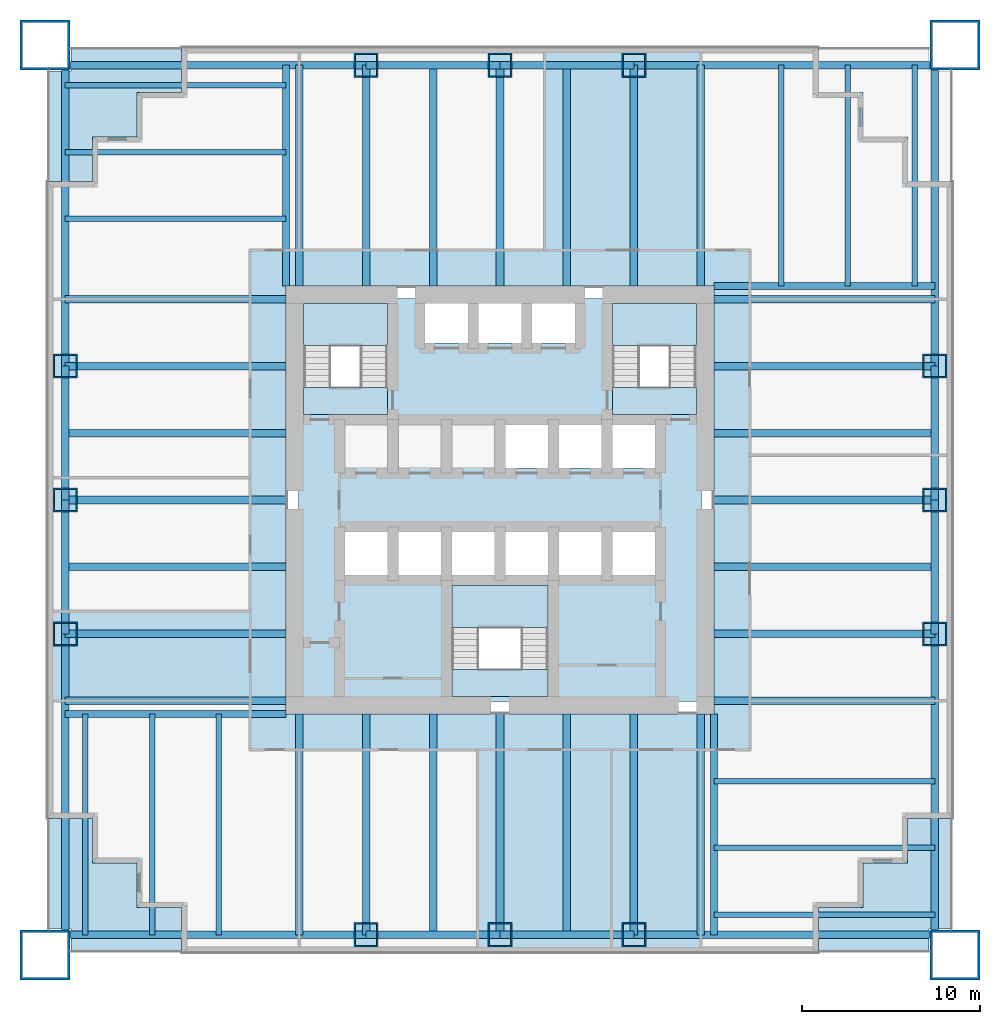
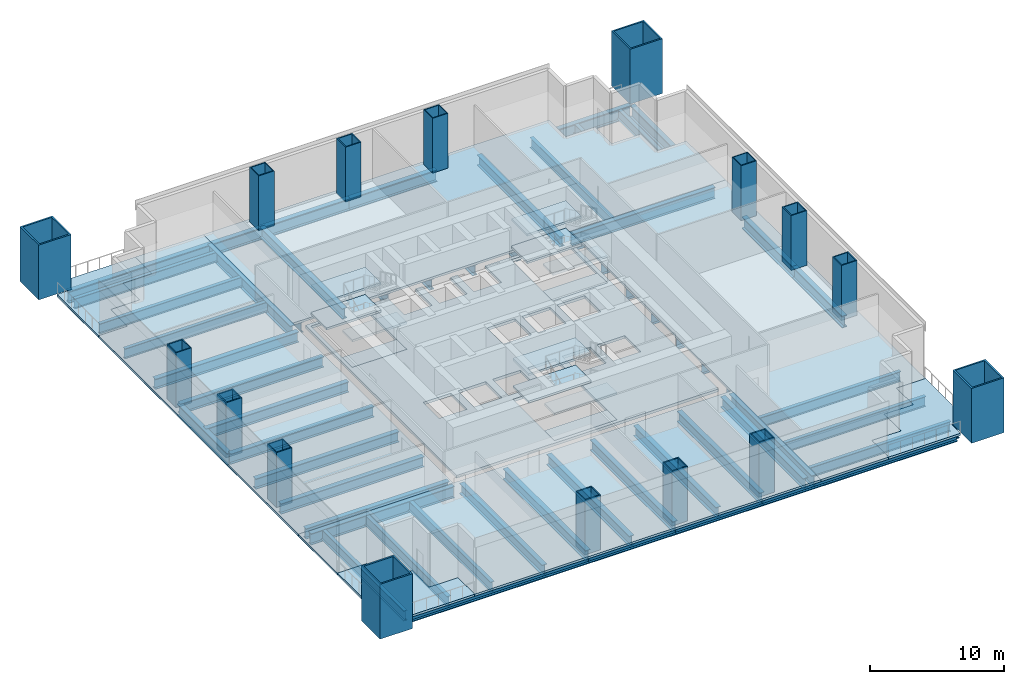
# One storey, part 1 of 6: 60 beams, 20 slabs, 16 columns, 3 elements without a shape of their own.
"""IFC4 building model written with IfcOpenShell, lengths in metres."""

from ifc_helpers import new_model, si_unit, direction, frame, origin, origin_2d, place, context, subcontext, project, spatial, polyline, hollow_rectangle, i_section, outline, extrude, material, layer, layer_set, material_profile, profile_set, type_object, element, aggregate, save


model = new_model("IFC4")

# Units and contexts
model_context = context("Model", 3, precision=1e-05, world=origin(), true_north=direction((0.0, 1.0)))
body_context = subcontext(model_context, "Body", "Model", "MODEL_VIEW")
ifc_project = project(units=[si_unit("LENGTHUNIT", "METRE"), si_unit("AREAUNIT", "SQUARE_METRE"), si_unit("VOLUMEUNIT", "CUBIC_METRE"), si_unit("PLANEANGLEUNIT", "RADIAN"), si_unit("MASSUNIT", "GRAM", prefix="KILO")], contexts=[model_context])

# Site, building, storey
site_placement = place(None, origin())
site = spatial("IfcSite", under=ifc_project, at=site_placement, CompositionType="ELEMENT")
building_placement = place(site_placement, origin())
building = spatial("IfcBuilding", under=site, at=building_placement, Name="Tarangal Relay Tower", CompositionType="ELEMENT")
storey_placement = place(building_placement, frame((0.0, 0.0, 33.39990234375)))
storey = spatial("IfcBuildingStorey", under=building, at=storey_placement, Name="L06", CompositionType="ELEMENT", Elevation=33.39990234375)

# Columns
ifc_material_1 = material(Name="Steel ASTM A572 Grade 42", Category="steel")
ifc_material_profile_1 = material_profile(ifc_material_1, hollow_rectangle(XDim=2.800048828125, YDim=2.800048828125, WallThickness=0.139892578125, at=origin_2d()), Name="BOX2800X2800X140")
ifc_profile_set_1 = profile_set([ifc_material_profile_1], Name="Steel ASTM A572 Grade 42")
column_type_1 = type_object("IfcColumnType", Name="Mega column BOX2800X2800X140", PredefinedType="COLUMN", material=ifc_profile_set_1)
for number, where, z_axis, x_axis, name in (
    (1, (25.5, 25.5, 0.0), (0.0, 0.0, 1.0), (1.0, 0.0, 0.0), "Mega column MC1 NE L06"),
    (2, (25.5, -25.5, 0.0), (0.0, 0.0, 1.0), (1.0, 0.0, 0.0), "Mega column MC1 SE L06"),
    (3, (-25.5, -25.5, 0.0), (0.0, 0.0, 1.0), (1.0, 0.0, 0.0), "Mega column MC1 SW L06"),
    (4, (-25.5, 25.5, 0.0), (0.0, 0.0, 1.0), (1.0, 0.0, 0.0), "Mega column MC1 NW L06"),
):
    element("IfcColumn", number, at=place(storey_placement, frame(where, z_axis=z_axis, x_axis=x_axis)), inside=storey, type_object=column_type_1, Name=name, PredefinedType="COLUMN", context=body_context, shape_type="SweptSolid", body=[
        extrude(hollow_rectangle(XDim=2.800048828125, YDim=2.800048828125, WallThickness=0.139892578125, at=origin_2d()), origin(), (0.0, 0.0, 1.0), 5.0),
    ])
ifc_material_2 = material(Name="Steel ASTM A572 Grade 50", Category="steel")
ifc_material_profile_2 = material_profile(ifc_material_2, hollow_rectangle(XDim=1.35009765625, YDim=1.35009765625, WallThickness=0.0849609375, at=origin_2d()), Name="BOX1350X1350X85")
ifc_profile_set_2 = profile_set([ifc_material_profile_2], Name="Steel ASTM A572 Grade 50")
column_type_2 = type_object("IfcColumnType", Name="Perimeter column BOX1350X1350X85", PredefinedType="COLUMN", material=ifc_profile_set_2)
for number, where, z_axis, x_axis, name in (
    (5, (-7.5, 24.364990234375, 0.0), (0.0, 0.0, 1.0), (1.0, 0.0, 0.0), "Perimeter column PC2 N L06"),
    (6, (0.0, 24.364990234375, 0.0), (0.0, 0.0, 1.0), (1.0, 0.0, 0.0), "Perimeter column PC2 N L06"),
    (7, (7.5, 24.364990234375, 0.0), (0.0, 0.0, 1.0), (1.0, 0.0, 0.0), "Perimeter column PC2 N L06"),
    (8, (24.364990234375, 7.5, 0.0), (0.0, 0.0, 1.0), (1.0, 0.0, 0.0), "Perimeter column PC2 E L06"),
    (9, (24.364990234375, 0.0, 0.0), (0.0, 0.0, 1.0), (1.0, 0.0, 0.0), "Perimeter column PC2 E L06"),
    (10, (24.364990234375, -7.5, 0.0), (0.0, 0.0, 1.0), (1.0, 0.0, 0.0), "Perimeter column PC2 E L06"),
    (11, (7.5, -24.364990234375, 0.0), (0.0, 0.0, 1.0), (1.0, 0.0, 0.0), "Perimeter column PC2 S L06"),
    (12, (0.0, -24.364990234375, 0.0), (0.0, 0.0, 1.0), (1.0, 0.0, 0.0), "Perimeter column PC2 S L06"),
    (13, (-7.5, -24.364990234375, 0.0), (0.0, 0.0, 1.0), (1.0, 0.0, 0.0), "Perimeter column PC2 S L06"),
    (14, (-24.364990234375, -7.5, 0.0), (0.0, 0.0, 1.0), (1.0, 0.0, 0.0), "Perimeter column PC2 W L06"),
    (15, (-24.364990234375, 0.0, 0.0), (0.0, 0.0, 1.0), (1.0, 0.0, 0.0), "Perimeter column PC2 W L06"),
    (16, (-24.364990234375, 7.5, 0.0), (0.0, 0.0, 1.0), (1.0, 0.0, 0.0), "Perimeter column PC2 W L06"),
):
    element("IfcColumn", number, at=place(storey_placement, frame(where, z_axis=z_axis, x_axis=x_axis)), inside=storey, type_object=column_type_2, Name=name, PredefinedType="COLUMN", context=body_context, shape_type="SweptSolid", body=[
        extrude(hollow_rectangle(XDim=1.35009765625, YDim=1.35009765625, WallThickness=0.0849609375, at=origin_2d()), origin(), (0.0, 0.0, 1.0), 5.0),
    ])

# Beams
ifc_material_3 = material(Name="Steel ASTM A992", Category="steel")
ifc_material_profile_3 = material_profile(ifc_material_3, i_section(OverallWidth=0.307373046875, OverallDepth=0.927001953125, WebThickness=0.019287109375, FlangeThickness=0.031982421875, at=origin_2d()), Name="W36X194")
ifc_profile_set_3 = profile_set([ifc_material_profile_3], Name="Steel ASTM A992")
beam_type_1 = type_object("IfcBeamType", Name="Corner beam W36X194", PredefinedType="JOIST", material=ifc_profile_set_3)
for number, where, z_axis, x_axis, name in (
    (17, (15.75, 12.0, -0.66357421875), (0.0, 1.0, 0.0), (-1.0, 0.0, 0.0), "Corner beam CB10 N L06"),
    (18, (19.5, 12.0, -0.66357421875), (0.0, 1.0, 0.0), (-1.0, 0.0, 0.0), "Corner beam CB10 N L06"),
    (19, (23.25, 12.0, -0.66357421875), (0.0, 1.0, 0.0), (-1.0, 0.0, 0.0), "Corner beam CB10 N L06"),
    (20, (12.0, -15.75, -0.66357421875), (1.0, 0.0, 0.0), (0.0, 1.0, 0.0), "Corner beam CB10 E L06"),
    (21, (12.0, -19.5, -0.66357421875), (1.0, 0.0, 0.0), (0.0, 1.0, 0.0), "Corner beam CB10 E L06"),
    (22, (12.0, -23.25, -0.66357421875), (1.0, 0.0, 0.0), (0.0, 1.0, 0.0), "Corner beam CB10 E L06"),
    (23, (-15.75, -12.0, -0.66357421875), (0.0, -1.0, 0.0), (1.0, 0.0, 0.0), "Corner beam CB10 S L06"),
    (24, (-19.5, -12.0, -0.66357421875), (0.0, -1.0, 0.0), (1.0, 0.0, 0.0), "Corner beam CB10 S L06"),
    (25, (-23.25, -12.0, -0.66357421875), (0.0, -1.0, 0.0), (1.0, 0.0, 0.0), "Corner beam CB10 S L06"),
    (26, (-12.0, 15.75, -0.66357421875), (-1.0, 0.0, 0.0), (0.0, -1.0, 0.0), "Corner beam CB10 W L06"),
    (27, (-12.0, 19.5, -0.66357421875), (-1.0, 0.0, 0.0), (0.0, -1.0, 0.0), "Corner beam CB10 W L06"),
    (28, (-12.0, 23.25, -0.66357421875), (-1.0, 0.0, 0.0), (0.0, -1.0, 0.0), "Corner beam CB10 W L06"),
):
    element("IfcBeam", number, at=place(storey_placement, frame(where, z_axis=z_axis, x_axis=x_axis)), inside=storey, type_object=beam_type_1, Name=name, PredefinedType="JOIST", context=body_context, shape_type="SweptSolid", body=[
        extrude(i_section(OverallWidth=0.307373046875, OverallDepth=0.927001953125, WebThickness=0.019287109375, FlangeThickness=0.031982421875, at=origin_2d()), origin(), (0.0, 0.0, 1.0), 12.364990234375),
    ])
ifc_material_profile_4 = material_profile(ifc_material_3, i_section(OverallWidth=0.40380859375, OverallDepth=1.036376953125, WebThickness=0.031005859375, FlangeThickness=0.0458984375, at=origin_2d()), Name="W40X331")
ifc_profile_set_4 = profile_set([ifc_material_profile_4], Name="Steel ASTM A992")
beam_type_2 = type_object("IfcBeamType", Name="Corner girder W40X331", PredefinedType="BEAM", material=ifc_profile_set_4)
for number, where, z_axis, x_axis, name in (
    (29, (12.0, 12.0, -0.718017578125), (1.0, 0.0, 0.0), (0.0, 1.0, 0.0), "Corner girder CG2 N L06"),
    (30, (12.0, -12.0, -0.718017578125), (0.0, -1.0, 0.0), (1.0, 0.0, 0.0), "Corner girder CG2 E L06"),
    (31, (-12.0, -12.0, -0.718017578125), (-1.0, 0.0, 0.0), (0.0, -1.0, 0.0), "Corner girder CG2 S L06"),
    (32, (-12.0, 12.0, -0.718017578125), (0.0, 1.0, 0.0), (-1.0, 0.0, 0.0), "Corner girder CG2 W L06"),
):
    element("IfcBeam", number, at=place(storey_placement, frame(where, z_axis=z_axis, x_axis=x_axis)), inside=storey, type_object=beam_type_2, Name=name, PredefinedType="BEAM", context=body_context, shape_type="SweptSolid", body=[
        extrude(i_section(OverallWidth=0.40380859375, OverallDepth=1.036376953125, WebThickness=0.031005859375, FlangeThickness=0.0458984375, at=origin_2d()), origin(), (0.0, 0.0, 1.0), 12.364990234375),
    ])
ifc_material_profile_5 = material_profile(ifc_material_3, i_section(OverallWidth=0.42431640625, OverallDepth=1.09228515625, WebThickness=0.04541015625, FlangeThickness=0.08203125, at=origin_2d()), Name="W40X593")
ifc_profile_set_5 = profile_set([ifc_material_profile_5], Name="Steel ASTM A992")
beam_type_3 = type_object("IfcBeamType", Name="Edge girder W40X593", PredefinedType="SPANDREL", material=ifc_profile_set_5)
beam_1_placement = place(storey_placement, frame((-24.25, 24.364990234375, -0.74609375), z_axis=(1.0, 0.0, 0.0), x_axis=(0.0, 1.0, 0.0)))
element("IfcBeam", 33, at=beam_1_placement, inside=storey, type_object=beam_type_3, Name="Edge girder EG9 N L06", PredefinedType="SPANDREL", context=body_context, shape_type="SweptSolid", body=[
    extrude(i_section(OverallWidth=0.42431640625, OverallDepth=1.09228515625, WebThickness=0.04541015625, FlangeThickness=0.08203125, at=origin_2d()), origin(), (0.0, 0.0, 1.0), 16.75),
])
for number, where, z_axis, x_axis, name in (
    (34, (-7.5, 24.364990234375, -0.74609375), (1.0, 0.0, 0.0), (0.0, 1.0, 0.0), "Edge girder EG9 N L06"),
    (35, (0.0, 24.364990234375, -0.74609375), (1.0, 0.0, 0.0), (0.0, 1.0, 0.0), "Edge girder EG9 N L06"),
):
    element("IfcBeam", number, at=place(storey_placement, frame(where, z_axis=z_axis, x_axis=x_axis)), inside=storey, type_object=beam_type_3, Name=name, PredefinedType="SPANDREL", context=body_context, shape_type="SweptSolid", body=[
        extrude(i_section(OverallWidth=0.42431640625, OverallDepth=1.09228515625, WebThickness=0.04541015625, FlangeThickness=0.08203125, at=origin_2d()), origin(), (0.0, 0.0, 1.0), 7.5),
    ])
for number, where, z_axis, x_axis, name in (
    (36, (7.5, 24.364990234375, -0.74609375), (1.0, 0.0, 0.0), (0.0, 1.0, 0.0), "Edge girder EG9 N L06"),
    (37, (24.364990234375, 24.25, -0.74609375), (0.0, -1.0, 0.0), (1.0, 0.0, 0.0), "Edge girder EG9 E L06"),
):
    element("IfcBeam", number, at=place(storey_placement, frame(where, z_axis=z_axis, x_axis=x_axis)), inside=storey, type_object=beam_type_3, Name=name, PredefinedType="SPANDREL", context=body_context, shape_type="SweptSolid", body=[
        extrude(i_section(OverallWidth=0.42431640625, OverallDepth=1.09228515625, WebThickness=0.04541015625, FlangeThickness=0.08203125, at=origin_2d()), origin(), (0.0, 0.0, 1.0), 16.75),
    ])
for number, where, z_axis, x_axis, name in (
    (38, (24.364990234375, 7.5, -0.74609375), (0.0, -1.0, 0.0), (1.0, 0.0, 0.0), "Edge girder EG9 E L06"),
    (39, (24.364990234375, 0.0, -0.74609375), (0.0, -1.0, 0.0), (1.0, 0.0, 0.0), "Edge girder EG9 E L06"),
):
    element("IfcBeam", number, at=place(storey_placement, frame(where, z_axis=z_axis, x_axis=x_axis)), inside=storey, type_object=beam_type_3, Name=name, PredefinedType="SPANDREL", context=body_context, shape_type="SweptSolid", body=[
        extrude(i_section(OverallWidth=0.42431640625, OverallDepth=1.09228515625, WebThickness=0.04541015625, FlangeThickness=0.08203125, at=origin_2d()), origin(), (0.0, 0.0, 1.0), 7.5),
    ])
for number, where, z_axis, x_axis, name in (
    (40, (24.364990234375, -7.5, -0.74609375), (0.0, -1.0, 0.0), (1.0, 0.0, 0.0), "Edge girder EG9 E L06"),
    (41, (24.25, -24.364990234375, -0.74609375), (-1.0, 0.0, 0.0), (0.0, -1.0, 0.0), "Edge girder EG9 S L06"),
):
    element("IfcBeam", number, at=place(storey_placement, frame(where, z_axis=z_axis, x_axis=x_axis)), inside=storey, type_object=beam_type_3, Name=name, PredefinedType="SPANDREL", context=body_context, shape_type="SweptSolid", body=[
        extrude(i_section(OverallWidth=0.42431640625, OverallDepth=1.09228515625, WebThickness=0.04541015625, FlangeThickness=0.08203125, at=origin_2d()), origin(), (0.0, 0.0, 1.0), 16.75),
    ])
for number, where, z_axis, x_axis, name in (
    (42, (7.5, -24.364990234375, -0.74609375), (-1.0, 0.0, 0.0), (0.0, -1.0, 0.0), "Edge girder EG9 S L06"),
    (43, (0.0, -24.364990234375, -0.74609375), (-1.0, 0.0, 0.0), (0.0, -1.0, 0.0), "Edge girder EG9 S L06"),
):
    element("IfcBeam", number, at=place(storey_placement, frame(where, z_axis=z_axis, x_axis=x_axis)), inside=storey, type_object=beam_type_3, Name=name, PredefinedType="SPANDREL", context=body_context, shape_type="SweptSolid", body=[
        extrude(i_section(OverallWidth=0.42431640625, OverallDepth=1.09228515625, WebThickness=0.04541015625, FlangeThickness=0.08203125, at=origin_2d()), origin(), (0.0, 0.0, 1.0), 7.5),
    ])
for number, where, z_axis, x_axis, name in (
    (44, (-7.5, -24.364990234375, -0.74609375), (-1.0, 0.0, 0.0), (0.0, -1.0, 0.0), "Edge girder EG9 S L06"),
    (45, (-24.364990234375, -24.25, -0.74609375), (0.0, 1.0, 0.0), (-1.0, 0.0, 0.0), "Edge girder EG9 W L06"),
):
    element("IfcBeam", number, at=place(storey_placement, frame(where, z_axis=z_axis, x_axis=x_axis)), inside=storey, type_object=beam_type_3, Name=name, PredefinedType="SPANDREL", context=body_context, shape_type="SweptSolid", body=[
        extrude(i_section(OverallWidth=0.42431640625, OverallDepth=1.09228515625, WebThickness=0.04541015625, FlangeThickness=0.08203125, at=origin_2d()), origin(), (0.0, 0.0, 1.0), 16.75),
    ])
for number, where, z_axis, x_axis, name in (
    (46, (-24.364990234375, -7.5, -0.74609375), (0.0, 1.0, 0.0), (-1.0, 0.0, 0.0), "Edge girder EG9 W L06"),
    (47, (-24.364990234375, 0.0, -0.74609375), (0.0, 1.0, 0.0), (-1.0, 0.0, 0.0), "Edge girder EG9 W L06"),
):
    element("IfcBeam", number, at=place(storey_placement, frame(where, z_axis=z_axis, x_axis=x_axis)), inside=storey, type_object=beam_type_3, Name=name, PredefinedType="SPANDREL", context=body_context, shape_type="SweptSolid", body=[
        extrude(i_section(OverallWidth=0.42431640625, OverallDepth=1.09228515625, WebThickness=0.04541015625, FlangeThickness=0.08203125, at=origin_2d()), origin(), (0.0, 0.0, 1.0), 7.5),
    ])
beam_2_placement = place(storey_placement, frame((-24.364990234375, 7.5, -0.74609375), z_axis=(0.0, 1.0, 0.0), x_axis=(-1.0, 0.0, 0.0)))
element("IfcBeam", 48, at=beam_2_placement, inside=storey, type_object=beam_type_3, Name="Edge girder EG9 W L06", PredefinedType="SPANDREL", context=body_context, shape_type="SweptSolid", body=[
    extrude(i_section(OverallWidth=0.42431640625, OverallDepth=1.09228515625, WebThickness=0.04541015625, FlangeThickness=0.08203125, at=origin_2d()), origin(), (0.0, 0.0, 1.0), 16.75),
])
ifc_material_profile_6 = material_profile(ifc_material_3, i_section(OverallWidth=0.42431640625, OverallDepth=0.947509765625, WebThickness=0.02392578125, FlangeThickness=0.042724609375, at=origin_2d()), Name="W36X302")
ifc_profile_set_6 = profile_set([ifc_material_profile_6], Name="Steel ASTM A992")
beam_type_4 = type_object("IfcBeamType", Name="Floor beam W36X302", PredefinedType="BEAM", material=ifc_profile_set_6)
for number, where, z_axis, x_axis, name in (
    (49, (-11.25, 12.0, -0.673583984375), (0.0, 1.0, 0.0), (-1.0, 0.0, 0.0), "Floor beam RB10 N L06"),
    (50, (-7.5, 12.0, -0.673583984375), (0.0, 1.0, 0.0), (-1.0, 0.0, 0.0), "Floor beam RB10 N L06"),
    (51, (-3.75, 12.0, -0.673583984375), (0.0, 1.0, 0.0), (-1.0, 0.0, 0.0), "Floor beam RB10 N L06"),
    (52, (0.0, 12.0, -0.673583984375), (0.0, 1.0, 0.0), (-1.0, 0.0, 0.0), "Floor beam RB10 N L06"),
    (53, (3.75, 12.0, -0.673583984375), (0.0, 1.0, 0.0), (-1.0, 0.0, 0.0), "Floor beam RB10 N L06"),
    (54, (7.5, 12.0, -0.673583984375), (0.0, 1.0, 0.0), (-1.0, 0.0, 0.0), "Floor beam RB10 N L06"),
    (55, (11.25, 12.0, -0.673583984375), (0.0, 1.0, 0.0), (-1.0, 0.0, 0.0), "Floor beam RB10 N L06"),
    (56, (12.0, 11.25, -0.673583984375), (1.0, 0.0, 0.0), (0.0, 1.0, 0.0), "Floor beam RB10 E L06"),
    (57, (12.0, 7.5, -0.673583984375), (1.0, 0.0, 0.0), (0.0, 1.0, 0.0), "Floor beam RB10 E L06"),
    (58, (12.0, 3.75, -0.673583984375), (1.0, 0.0, 0.0), (0.0, 1.0, 0.0), "Floor beam RB10 E L06"),
    (59, (12.0, 0.0, -0.673583984375), (1.0, 0.0, 0.0), (0.0, 1.0, 0.0), "Floor beam RB10 E L06"),
    (60, (12.0, -3.75, -0.673583984375), (1.0, 0.0, 0.0), (0.0, 1.0, 0.0), "Floor beam RB10 E L06"),
    (61, (12.0, -7.5, -0.673583984375), (1.0, 0.0, 0.0), (0.0, 1.0, 0.0), "Floor beam RB10 E L06"),
    (62, (12.0, -11.25, -0.673583984375), (1.0, 0.0, 0.0), (0.0, 1.0, 0.0), "Floor beam RB10 E L06"),
    (63, (11.25, -12.0, -0.673583984375), (0.0, -1.0, 0.0), (1.0, 0.0, 0.0), "Floor beam RB10 S L06"),
    (64, (7.5, -12.0, -0.673583984375), (0.0, -1.0, 0.0), (1.0, 0.0, 0.0), "Floor beam RB10 S L06"),
    (65, (3.75, -12.0, -0.673583984375), (0.0, -1.0, 0.0), (1.0, 0.0, 0.0), "Floor beam RB10 S L06"),
    (66, (0.0, -12.0, -0.673583984375), (0.0, -1.0, 0.0), (1.0, 0.0, 0.0), "Floor beam RB10 S L06"),
    (67, (-3.75, -12.0, -0.673583984375), (0.0, -1.0, 0.0), (1.0, 0.0, 0.0), "Floor beam RB10 S L06"),
    (68, (-7.5, -12.0, -0.673583984375), (0.0, -1.0, 0.0), (1.0, 0.0, 0.0), "Floor beam RB10 S L06"),
    (69, (-11.25, -12.0, -0.673583984375), (0.0, -1.0, 0.0), (1.0, 0.0, 0.0), "Floor beam RB10 S L06"),
    (70, (-12.0, -11.25, -0.673583984375), (-1.0, 0.0, 0.0), (0.0, -1.0, 0.0), "Floor beam RB10 W L06"),
    (71, (-12.0, -7.5, -0.673583984375), (-1.0, 0.0, 0.0), (0.0, -1.0, 0.0), "Floor beam RB10 W L06"),
    (72, (-12.0, -3.75, -0.673583984375), (-1.0, 0.0, 0.0), (0.0, -1.0, 0.0), "Floor beam RB10 W L06"),
    (73, (-12.0, 0.0, -0.673583984375), (-1.0, 0.0, 0.0), (0.0, -1.0, 0.0), "Floor beam RB10 W L06"),
    (74, (-12.0, 3.75, -0.673583984375), (-1.0, 0.0, 0.0), (0.0, -1.0, 0.0), "Floor beam RB10 W L06"),
    (75, (-12.0, 7.5, -0.673583984375), (-1.0, 0.0, 0.0), (0.0, -1.0, 0.0), "Floor beam RB10 W L06"),
    (76, (-12.0, 11.25, -0.673583984375), (-1.0, 0.0, 0.0), (0.0, -1.0, 0.0), "Floor beam RB10 W L06"),
):
    element("IfcBeam", number, at=place(storey_placement, frame(where, z_axis=z_axis, x_axis=x_axis)), inside=storey, type_object=beam_type_4, Name=name, PredefinedType="BEAM", context=body_context, shape_type="SweptSolid", body=[
        extrude(i_section(OverallWidth=0.42431640625, OverallDepth=0.947509765625, WebThickness=0.02392578125, FlangeThickness=0.042724609375, at=origin_2d()), origin(), (0.0, 0.0, 1.0), 12.364990234375),
    ])

# Slabs
ifc_material_4 = material(Name="Concrete fc' 35 MPa", Category="concrete")
ifc_layer_1 = layer(ifc_material_4, 0.25)
ifc_layer_set_1 = layer_set([ifc_layer_1], Name="Core floor slab 250")
slab_type_1 = type_object("IfcSlabType", Name="Core floor slab 250", PredefinedType="FLOOR", material=ifc_layer_set_1)
slab_1_placement = place(storey_placement, frame((0.0, 0.0, -0.25)))
element("IfcSlab", 77, at=slab_1_placement, inside=storey, type_object=slab_type_1, Name="Core floor slab L06", PredefinedType="FLOOR", context=body_context, shape_type="SweptSolid", body=[
    extrude(outline(polyline([(11.300048828125, 11.300048828125), (11.300048828125, -11.300048828125), (-11.300048828125, -11.300048828125), (-11.300048828125, 11.300048828125), (-4.199951171875, 11.300048828125), (-4.199951171875, 8.800048828125), (-1.800048828125, 8.800048828125), (-1.800048828125, 11.300048828125), (-1.199951171875, 11.300048828125), (-1.199951171875, 8.800048828125), (1.199951171875, 8.800048828125), (1.199951171875, 11.300048828125), (1.800048828125, 11.300048828125), (1.800048828125, 8.800048828125), (4.199951171875, 8.800048828125), (4.199951171875, 11.300048828125), (11.300048828125, 11.300048828125)]), holes=[polyline([(2.699951171875, -4.800048828125), (-2.699951171875, -4.800048828125), (-2.699951171875, -11.0), (2.699951171875, -11.0), (2.699951171875, -4.800048828125)]), polyline([(-6.300048828125, -4.199951171875), (-6.300048828125, -1.800048828125), (-8.699951171875, -1.800048828125), (-8.699951171875, -4.199951171875), (-6.300048828125, -4.199951171875)]), polyline([(-3.300048828125, -4.199951171875), (-3.300048828125, -1.800048828125), (-5.699951171875, -1.800048828125), (-5.699951171875, -4.199951171875), (-3.300048828125, -4.199951171875)]), polyline([(-0.300048828125, -4.199951171875), (-0.300048828125, -1.800048828125), (-2.699951171875, -1.800048828125), (-2.699951171875, -4.199951171875), (-0.300048828125, -4.199951171875)]), polyline([(2.699951171875, 1.800048828125), (2.699951171875, 4.199951171875), (0.300048828125, 4.199951171875), (0.300048828125, 1.800048828125), (2.699951171875, 1.800048828125)]), polyline([(-6.300048828125, 4.800048828125), (-6.300048828125, 11.0), (-11.0, 11.0), (-11.0, 4.800048828125), (-6.300048828125, 4.800048828125)]), polyline([(2.699951171875, -4.199951171875), (2.699951171875, -1.800048828125), (0.300048828125, -1.800048828125), (0.300048828125, -4.199951171875), (2.699951171875, -4.199951171875)]), polyline([(5.699951171875, -4.199951171875), (5.699951171875, -1.800048828125), (3.300048828125, -1.800048828125), (3.300048828125, -4.199951171875), (5.699951171875, -4.199951171875)]), polyline([(8.699951171875, -4.199951171875), (8.699951171875, -1.800048828125), (6.300048828125, -1.800048828125), (6.300048828125, -4.199951171875), (8.699951171875, -4.199951171875)]), polyline([(5.699951171875, 1.800048828125), (5.699951171875, 4.199951171875), (3.300048828125, 4.199951171875), (3.300048828125, 1.800048828125), (5.699951171875, 1.800048828125)]), polyline([(8.699951171875, 1.800048828125), (8.699951171875, 4.199951171875), (6.300048828125, 4.199951171875), (6.300048828125, 1.800048828125), (8.699951171875, 1.800048828125)]), polyline([(11.0, 4.800048828125), (11.0, 11.0), (6.300048828125, 11.0), (6.300048828125, 4.800048828125), (11.0, 4.800048828125)])]), origin(), (0.0, 0.0, 1.0), 0.25),
])
ifc_layer_2 = layer(ifc_material_4, 0.199951171875)
ifc_layer_set_2 = layer_set([ifc_layer_2], Name="Floor slab 200")
slab_type_2 = type_object("IfcSlabType", Name="Floor slab 200", PredefinedType="FLOOR", material=ifc_layer_set_2)
slab_2_placement = place(storey_placement, frame((0.0, 0.0, -0.199951171875)))
element("IfcSlab", 78, at=slab_2_placement, inside=storey, type_object=slab_type_2, Name="Floor slab FS2 L06 north bay", PredefinedType="FLOOR", context=body_context, shape_type="SweptSolid", body=[
    extrude(outline(polyline([(17.85009765625, 25.35009765625), (17.85009765625, 22.85009765625), (20.35009765625, 22.85009765625), (20.35009765625, 20.35009765625), (22.85009765625, 20.35009765625), (22.85009765625, 17.85009765625), (25.35009765625, 17.85009765625), (25.35009765625, 12.0), (-12.0, 12.0), (-12.0, 25.35009765625), (17.85009765625, 25.35009765625)])), origin(), (0.0, 0.0, 1.0), 0.199951171875),
])
slab_3_placement = place(storey_placement, frame((0.0, 0.0, -0.199951171875)))
element("IfcSlab", 79, at=slab_3_placement, inside=storey, type_object=slab_type_2, Name="Floor slab FS2 L06 east bay", PredefinedType="FLOOR", context=body_context, shape_type="SweptSolid", body=[
    extrude(outline(polyline([(25.35009765625, -17.85009765625), (22.85009765625, -17.85009765625), (22.85009765625, -20.35009765625), (20.35009765625, -20.35009765625), (20.35009765625, -22.85009765625), (17.85009765625, -22.85009765625), (17.85009765625, -25.35009765625), (12.0, -25.35009765625), (12.0, 12.0), (25.35009765625, 12.0), (25.35009765625, -17.85009765625)])), origin(), (0.0, 0.0, 1.0), 0.199951171875),
])
slab_4_placement = place(storey_placement, frame((0.0, 0.0, -0.199951171875)))
element("IfcSlab", 80, at=slab_4_placement, inside=storey, type_object=slab_type_2, Name="Floor slab FS2 L06 south bay", PredefinedType="FLOOR", context=body_context, shape_type="SweptSolid", body=[
    extrude(outline(polyline([(-17.85009765625, -25.35009765625), (-17.85009765625, -22.85009765625), (-20.35009765625, -22.85009765625), (-20.35009765625, -20.35009765625), (-22.85009765625, -20.35009765625), (-22.85009765625, -17.85009765625), (-25.35009765625, -17.85009765625), (-25.35009765625, -12.0), (12.0, -12.0), (12.0, -25.35009765625), (-17.85009765625, -25.35009765625)])), origin(), (0.0, 0.0, 1.0), 0.199951171875),
])
slab_5_placement = place(storey_placement, frame((0.0, 0.0, -0.199951171875)))
element("IfcSlab", 81, at=slab_5_placement, inside=storey, type_object=slab_type_2, Name="Floor slab FS2 L06 west bay", PredefinedType="FLOOR", context=body_context, shape_type="SweptSolid", body=[
    extrude(outline(polyline([(-12.0, 25.35009765625), (-12.0, -12.0), (-25.35009765625, -12.0), (-25.35009765625, 17.85009765625), (-22.85009765625, 17.85009765625), (-22.85009765625, 20.35009765625), (-20.35009765625, 20.35009765625), (-20.35009765625, 22.85009765625), (-17.85009765625, 22.85009765625), (-17.85009765625, 25.35009765625), (-12.0, 25.35009765625)])), origin(), (0.0, 0.0, 1.0), 0.199951171875),
])

# Stair, slabs
ifc_material_5 = material(Name="Steel ASTM A992 stair flight", Category="steel")
stair_type = type_object("IfcStairType", Name="Core stair 1500", PredefinedType="HALF_TURN_STAIR", material=ifc_material_5)
stair_1_placement = place(storey_placement, origin())
stair_1 = element("IfcStair", 82, at=stair_1_placement, inside=storey, type_object=stair_type, Name="Stair ST-A L06", PredefinedType="HALF_TURN_STAIR")
ifc_layer_3 = layer(ifc_material_4, 0.199951171875)
ifc_layer_set_3 = layer_set([ifc_layer_3], Name="Stair landing 200")
slab_type_3 = type_object("IfcSlabType", Name="Stair landing 200", PredefinedType="LANDING", material=ifc_layer_set_3)
slab_6_placement = place(storey_placement, frame((0.0, 0.0, -0.199951171875)))
slab_6 = element("IfcSlab", 83, at=slab_6_placement, type_object=slab_type_3, Name="ST-A landing 1", PredefinedType="LANDING", context=body_context, shape_type="SweptSolid", body=[
    extrude(outline(polyline([(-11.0, 4.800048828125), (-6.300048828125, 4.800048828125), (-6.300048828125, 6.300048828125), (-11.0, 6.300048828125), (-11.0, 4.800048828125)])), origin(), (0.0, 0.0, 1.0), 0.199951171875),
])
slab_7_placement = place(storey_placement, frame((0.0, 0.0, 1.050048828125)))
slab_7 = element("IfcSlab", 84, at=slab_7_placement, type_object=slab_type_3, Name="ST-A landing 2", PredefinedType="LANDING", context=body_context, shape_type="SweptSolid", body=[
    extrude(outline(polyline([(-11.0, 8.64501953125), (-6.300048828125, 8.64501953125), (-6.300048828125, 11.0), (-11.0, 11.0), (-11.0, 8.64501953125)])), origin(), (0.0, 0.0, 1.0), 0.199951171875),
])
slab_8_placement = place(storey_placement, frame((0.0, 0.0, 2.300048828125)))
slab_8 = element("IfcSlab", 85, at=slab_8_placement, type_object=slab_type_3, Name="ST-A landing 3", PredefinedType="LANDING", context=body_context, shape_type="SweptSolid", body=[
    extrude(outline(polyline([(-11.0, 4.800048828125), (-6.300048828125, 4.800048828125), (-6.300048828125, 6.300048828125), (-11.0, 6.300048828125), (-11.0, 4.800048828125)])), origin(), (0.0, 0.0, 1.0), 0.199951171875),
])
slab_9_placement = place(storey_placement, frame((0.0, 0.0, 3.550048828125)))
slab_9 = element("IfcSlab", 86, at=slab_9_placement, type_object=slab_type_3, Name="ST-A landing 4", PredefinedType="LANDING", context=body_context, shape_type="SweptSolid", body=[
    extrude(outline(polyline([(-11.0, 8.64501953125), (-6.300048828125, 8.64501953125), (-6.300048828125, 11.0), (-11.0, 11.0), (-11.0, 8.64501953125)])), origin(), (0.0, 0.0, 1.0), 0.199951171875),
])
aggregate(stair_1, [slab_6, slab_7, slab_8, slab_9])

stair_2_placement = place(storey_placement, origin())
stair_2 = element("IfcStair", 87, at=stair_2_placement, inside=storey, type_object=stair_type, Name="Stair ST-B L06", PredefinedType="HALF_TURN_STAIR")
slab_10_placement = place(storey_placement, frame((0.0, 0.0, -0.199951171875)))
slab_10 = element("IfcSlab", 88, at=slab_10_placement, type_object=slab_type_3, Name="ST-B landing 1", PredefinedType="LANDING", context=body_context, shape_type="SweptSolid", body=[
    extrude(outline(polyline([(6.300048828125, 4.800048828125), (11.0, 4.800048828125), (11.0, 6.300048828125), (6.300048828125, 6.300048828125), (6.300048828125, 4.800048828125)])), origin(), (0.0, 0.0, 1.0), 0.199951171875),
])
slab_11_placement = place(storey_placement, frame((0.0, 0.0, 1.050048828125)))
slab_11 = element("IfcSlab", 89, at=slab_11_placement, type_object=slab_type_3, Name="ST-B landing 2", PredefinedType="LANDING", context=body_context, shape_type="SweptSolid", body=[
    extrude(outline(polyline([(6.300048828125, 8.64501953125), (11.0, 8.64501953125), (11.0, 11.0), (6.300048828125, 11.0), (6.300048828125, 8.64501953125)])), origin(), (0.0, 0.0, 1.0), 0.199951171875),
])
slab_12_placement = place(storey_placement, frame((0.0, 0.0, 2.300048828125)))
slab_12 = element("IfcSlab", 90, at=slab_12_placement, type_object=slab_type_3, Name="ST-B landing 3", PredefinedType="LANDING", context=body_context, shape_type="SweptSolid", body=[
    extrude(outline(polyline([(6.300048828125, 4.800048828125), (11.0, 4.800048828125), (11.0, 6.300048828125), (6.300048828125, 6.300048828125), (6.300048828125, 4.800048828125)])), origin(), (0.0, 0.0, 1.0), 0.199951171875),
])
slab_13_placement = place(storey_placement, frame((0.0, 0.0, 3.550048828125)))
slab_13 = element("IfcSlab", 91, at=slab_13_placement, type_object=slab_type_3, Name="ST-B landing 4", PredefinedType="LANDING", context=body_context, shape_type="SweptSolid", body=[
    extrude(outline(polyline([(6.300048828125, 8.64501953125), (11.0, 8.64501953125), (11.0, 11.0), (6.300048828125, 11.0), (6.300048828125, 8.64501953125)])), origin(), (0.0, 0.0, 1.0), 0.199951171875),
])
aggregate(stair_2, [slab_10, slab_11, slab_12, slab_13])

stair_3_placement = place(storey_placement, origin())
stair_3 = element("IfcStair", 92, at=stair_3_placement, inside=storey, type_object=stair_type, Name="Stair ST-C L06", PredefinedType="HALF_TURN_STAIR")
slab_14_placement = place(storey_placement, frame((0.0, 0.0, -0.199951171875)))
slab_14 = element("IfcSlab", 93, at=slab_14_placement, type_object=slab_type_3, Name="ST-C landing 1", PredefinedType="LANDING", context=body_context, shape_type="SweptSolid", body=[
    extrude(outline(polyline([(-2.699951171875, -11.0), (2.699951171875, -11.0), (2.699951171875, -9.5), (-2.699951171875, -9.5), (-2.699951171875, -11.0)])), origin(), (0.0, 0.0, 1.0), 0.199951171875),
])
slab_15_placement = place(storey_placement, frame((0.0, 0.0, 1.050048828125)))
slab_15 = element("IfcSlab", 94, at=slab_15_placement, type_object=slab_type_3, Name="ST-C landing 2", PredefinedType="LANDING", context=body_context, shape_type="SweptSolid", body=[
    extrude(outline(polyline([(-2.699951171875, -7.155029296875), (2.699951171875, -7.155029296875), (2.699951171875, -4.800048828125), (-2.699951171875, -4.800048828125), (-2.699951171875, -7.155029296875)])), origin(), (0.0, 0.0, 1.0), 0.199951171875),
])
slab_16_placement = place(storey_placement, frame((0.0, 0.0, 2.300048828125)))
slab_16 = element("IfcSlab", 95, at=slab_16_placement, type_object=slab_type_3, Name="ST-C landing 3", PredefinedType="LANDING", context=body_context, shape_type="SweptSolid", body=[
    extrude(outline(polyline([(-2.699951171875, -11.0), (2.699951171875, -11.0), (2.699951171875, -9.5), (-2.699951171875, -9.5), (-2.699951171875, -11.0)])), origin(), (0.0, 0.0, 1.0), 0.199951171875),
])
slab_17_placement = place(storey_placement, frame((0.0, 0.0, 3.550048828125)))
slab_17 = element("IfcSlab", 96, at=slab_17_placement, type_object=slab_type_3, Name="ST-C landing 4", PredefinedType="LANDING", context=body_context, shape_type="SweptSolid", body=[
    extrude(outline(polyline([(-2.699951171875, -7.155029296875), (2.699951171875, -7.155029296875), (2.699951171875, -4.800048828125), (-2.699951171875, -4.800048828125), (-2.699951171875, -7.155029296875)])), origin(), (0.0, 0.0, 1.0), 0.199951171875),
])
aggregate(stair_3, [slab_14, slab_15, slab_16, slab_17])

# Slabs
ifc_layer_4 = layer(ifc_material_4, 0.199951171875)
ifc_layer_set_4 = layer_set([ifc_layer_4], Name="Terrace slab 200")
slab_type_4 = type_object("IfcSlabType", Name="Terrace slab 200", PredefinedType="FLOOR", material=ifc_layer_set_4)
slab_18_placement = place(storey_placement, frame((0.0, 0.0, -0.199951171875)))
element("IfcSlab", 97, at=slab_18_placement, inside=storey, type_object=slab_type_4, Name="Corner terrace SE L06", PredefinedType="FLOOR", context=body_context, shape_type="SweptSolid", body=[
    extrude(outline(polyline([(25.35009765625, -17.85009765625), (22.85009765625, -17.85009765625), (22.85009765625, -20.35009765625), (20.35009765625, -20.35009765625), (20.35009765625, -22.85009765625), (17.85009765625, -22.85009765625), (17.85009765625, -25.35009765625), (24.050048828125, -25.35009765625), (24.050048828125, -24.050048828125), (25.35009765625, -24.050048828125), (25.35009765625, -17.85009765625)])), origin(), (0.0, 0.0, 1.0), 0.199951171875),
])
slab_19_placement = place(storey_placement, frame((0.0, 0.0, -0.199951171875)))
element("IfcSlab", 98, at=slab_19_placement, inside=storey, type_object=slab_type_4, Name="Corner terrace SW L06", PredefinedType="FLOOR", context=body_context, shape_type="SweptSolid", body=[
    extrude(outline(polyline([(-17.85009765625, -25.35009765625), (-17.85009765625, -22.85009765625), (-20.35009765625, -22.85009765625), (-20.35009765625, -20.35009765625), (-22.85009765625, -20.35009765625), (-22.85009765625, -17.85009765625), (-25.35009765625, -17.85009765625), (-25.35009765625, -24.050048828125), (-24.050048828125, -24.050048828125), (-24.050048828125, -25.35009765625), (-17.85009765625, -25.35009765625)])), origin(), (0.0, 0.0, 1.0), 0.199951171875),
])
slab_20_placement = place(storey_placement, frame((0.0, 0.0, -0.199951171875)))
element("IfcSlab", 99, at=slab_20_placement, inside=storey, type_object=slab_type_4, Name="Corner terrace NW L06", PredefinedType="FLOOR", context=body_context, shape_type="SweptSolid", body=[
    extrude(outline(polyline([(-25.35009765625, 17.85009765625), (-22.85009765625, 17.85009765625), (-22.85009765625, 20.35009765625), (-20.35009765625, 20.35009765625), (-20.35009765625, 22.85009765625), (-17.85009765625, 22.85009765625), (-17.85009765625, 25.35009765625), (-24.050048828125, 25.35009765625), (-24.050048828125, 24.050048828125), (-25.35009765625, 24.050048828125), (-25.35009765625, 17.85009765625)])), origin(), (0.0, 0.0, 1.0), 0.199951171875),
])

save(model, "model.ifc")
